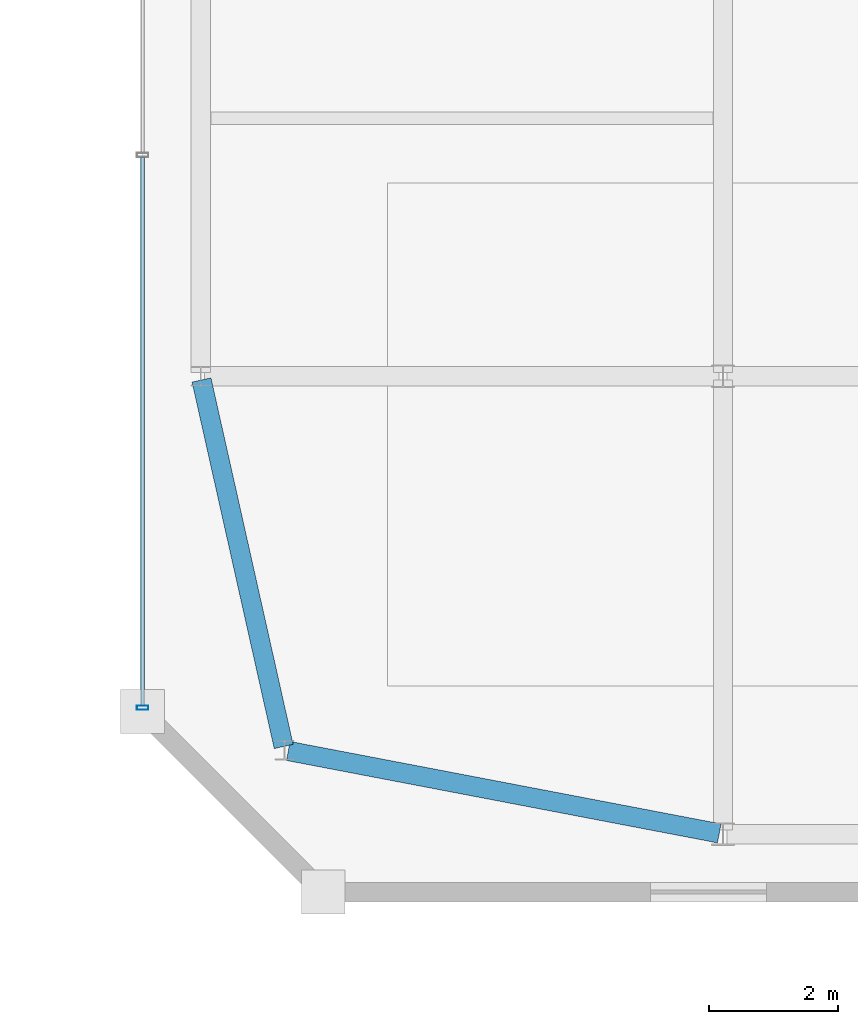
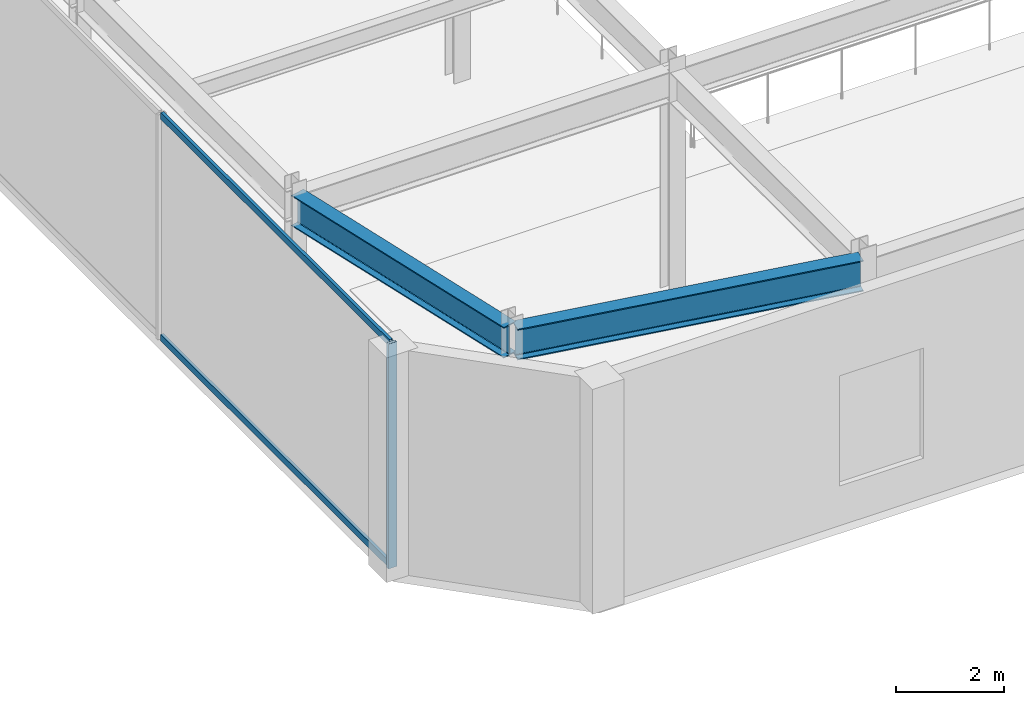
# One storey, part 32 of 52: 3 members, 2 beams, 1 element without a shape of its own.
"""IFC4 building model written with IfcOpenShell, lengths in metres."""

from ifc_helpers import new_model, si_unit, direction, frame, origin, origin_2d, place, context, subcontext, project, spatial, hollow_rectangle, i_section, extrude, material, material_profile, profile_set, type_object, element, aggregate, save


model = new_model("IFC4")

# Units and contexts
model_context = context("Model", 3, precision=1e-05, world=origin(), true_north=direction((0.0, 1.0)))
body_context = subcontext(model_context, "Body", "Model", "MODEL_VIEW")
ifc_project = project(units=[si_unit("LENGTHUNIT", "METRE"), si_unit("AREAUNIT", "SQUARE_METRE"), si_unit("VOLUMEUNIT", "CUBIC_METRE"), si_unit("PLANEANGLEUNIT", "RADIAN"), si_unit("MASSUNIT", "GRAM", prefix="KILO")], contexts=[model_context])

# Site, building, storey
site_placement = place(None, origin())
site = spatial("IfcSite", under=ifc_project, at=site_placement, CompositionType="ELEMENT")
building_placement = place(site_placement, origin())
building = spatial("IfcBuilding", under=site, at=building_placement, Name="Saevonmaru Cultural Tower", CompositionType="ELEMENT")
storey_placement = place(building_placement, frame((0.0, 0.0, 16.800048828125)))
storey = spatial("IfcBuildingStorey", under=building, at=storey_placement, Name="L03", CompositionType="ELEMENT", Elevation=16.800048828125)

# Beams
ifc_material_1 = material(Name="Steel SM355", Category="steel")
ifc_material_profile_1 = material_profile(ifc_material_1, i_section(OverallWidth=0.300048828125, OverallDepth=0.699951171875, WebThickness=0.012939453125, FlangeThickness=0.02392578125, FilletRadius=0.02587890625, at=origin_2d()), Name="H-700x300x13x24")
ifc_profile_set_1 = profile_set([ifc_material_profile_1], Name="Steel SM355")
beam_type = type_object("IfcBeamType", Name="BM-G-H700", PredefinedType="BEAM", material=ifc_profile_set_1)
beam_1_placement = place(storey_placement, frame((74.458984375, 10.188720703125, 4.75), z_axis=(0.982215224342, -0.187758496666, 0.0), x_axis=(0.187758496666, 0.982215224342, 0.0)))
element("IfcBeam", 1, at=beam_1_placement, inside=storey, type_object=beam_type, Name="L03 Library Girder EW-1-1", PredefinedType="BEAM", context=body_context, shape_type="SweptSolid", body=[
    extrude(i_section(OverallWidth=0.300048828125, OverallDepth=0.699951171875, WebThickness=0.012939453125, FlangeThickness=0.02392578125, FilletRadius=0.02587890625, at=origin_2d()), origin(), (0.0, 0.0, 1.0), 6.80322265625),
])
beam_2_placement = place(storey_placement, frame((74.386962890625, 10.258544921875, 4.75), z_axis=(-0.218741049138, 0.975782943806, 0.0), x_axis=(-0.975782943806, -0.218741049138, 0.0)))
element("IfcBeam", 2, at=beam_2_placement, inside=storey, type_object=beam_type, Name="L03 Library Girder NS-1-1", PredefinedType="BEAM", context=body_context, shape_type="SweptSolid", body=[
    extrude(i_section(OverallWidth=0.300048828125, OverallDepth=0.699951171875, WebThickness=0.012939453125, FlangeThickness=0.02392578125, FilletRadius=0.02587890625, at=origin_2d()), origin(), (0.0, 0.0, 1.0), 5.823974609375),
])

# Curtain wall, members
ifc_material_2 = material(Name="Satin Bronze Anodised Aluminium", Category="aluminium")
curtain_wall_type = type_object("IfcCurtainWallType", Name="CW-LIB-GLZ", PredefinedType="NOTDEFINED", material=ifc_material_2)
curtain_wall_placement = place(storey_placement, origin())
curtain_wall = element("IfcCurtainWall", 3, at=curtain_wall_placement, inside=storey, type_object=curtain_wall_type, Name="L03 Central Library Reading Hall Curtain Wall 8", PredefinedType="NOTDEFINED")
ifc_material_profile_2 = material_profile(ifc_material_2, hollow_rectangle(XDim=0.06494140625, YDim=0.179931640625, WallThickness=0.00390625, at=origin_2d()), Name="ALU-MULL-180x65x4")
ifc_profile_set_2 = profile_set([ifc_material_profile_2], Name="Satin Bronze Anodised Aluminium")
member_type_1 = type_object("IfcMemberType", Name="ML-CW-180x65", PredefinedType="MULLION", material=ifc_profile_set_2)
member_1_placement = place(storey_placement, frame((72.199951171875, 10.860107421875, 0.0), z_axis=(0.0, 0.0, 1.0), x_axis=(0.0, -1.0, 0.0)))
member_1 = element("IfcMember", 4, at=member_1_placement, type_object=member_type_1, Name="CW-LIB-8-L03 mullion 5", PredefinedType="MULLION", context=body_context, shape_type="SweptSolid", body=[
    extrude(hollow_rectangle(XDim=0.06494140625, YDim=0.179931640625, WallThickness=0.00390625, at=origin_2d()), origin(), (0.0, 0.0, 1.0), 5.099853515625),
])
ifc_material_profile_3 = material_profile(ifc_material_2, hollow_rectangle(XDim=0.06494140625, YDim=0.14990234375, WallThickness=0.00390625, at=origin_2d()), Name="ALU-TRAN-150x65x4")
ifc_profile_set_3 = profile_set([ifc_material_profile_3], Name="Satin Bronze Anodised Aluminium")
member_type_2 = type_object("IfcMemberType", Name="TR-CW-150x65", PredefinedType="USERDEFINED", material=ifc_profile_set_3)
member_2_placement = place(storey_placement, frame((72.199951171875, 19.3974609375, 0.032470703125), z_axis=(0.0, -1.0, 0.0), x_axis=(1.0, 0.0, 0.0)))
member_2 = element("IfcMember", 5, at=member_2_placement, type_object=member_type_2, Name="CW-LIB-8-L03 transom 4.1", ObjectType="TRANSOM", PredefinedType="USERDEFINED", context=body_context, shape_type="SweptSolid", body=[
    extrude(hollow_rectangle(XDim=0.06494140625, YDim=0.14990234375, WallThickness=0.00390625, at=origin_2d()), origin(), (0.0, 0.0, 1.0), 8.5048828125),
])
member_3_placement = place(storey_placement, frame((72.199951171875, 19.3974609375, 5.0673828125), z_axis=(0.0, -1.0, 0.0), x_axis=(1.0, 0.0, 0.0)))
member_3 = element("IfcMember", 6, at=member_3_placement, type_object=member_type_2, Name="CW-LIB-8-L03 transom 4.2", ObjectType="TRANSOM", PredefinedType="USERDEFINED", context=body_context, shape_type="SweptSolid", body=[
    extrude(hollow_rectangle(XDim=0.06494140625, YDim=0.14990234375, WallThickness=0.00390625, at=origin_2d()), origin(), (0.0, 0.0, 1.0), 8.5048828125),
])
aggregate(curtain_wall, [member_1, member_2, member_3])

save(model, "model.ifc")
